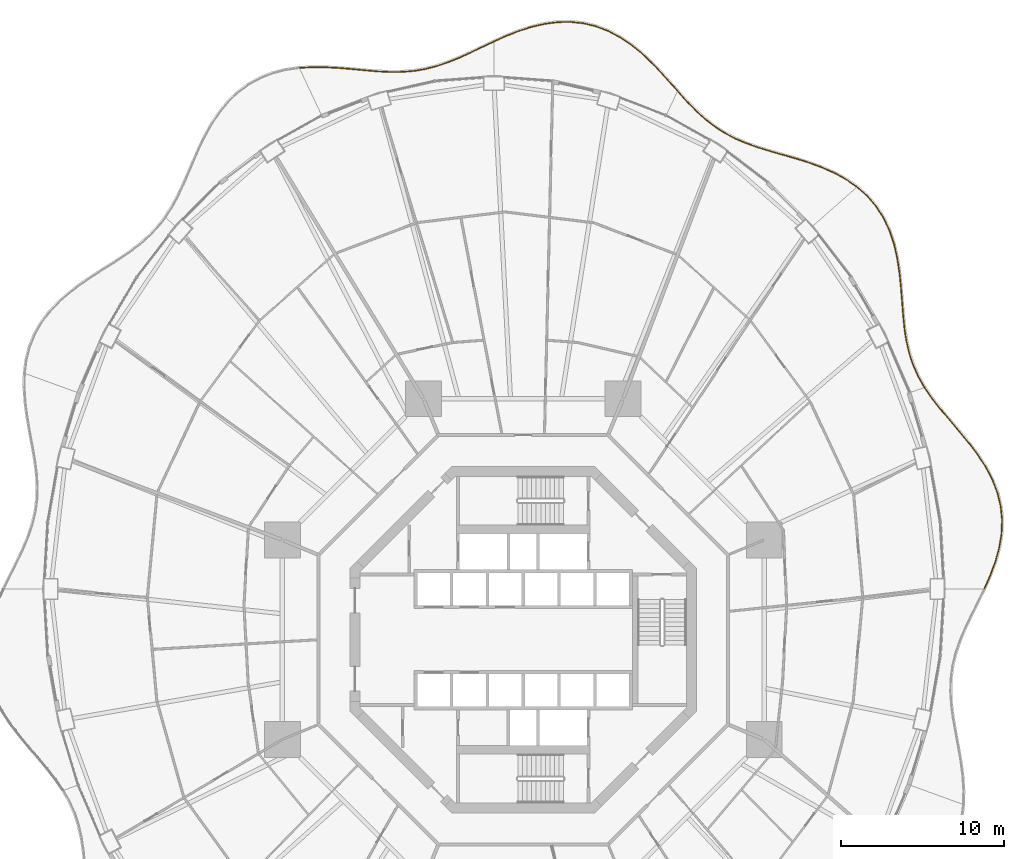
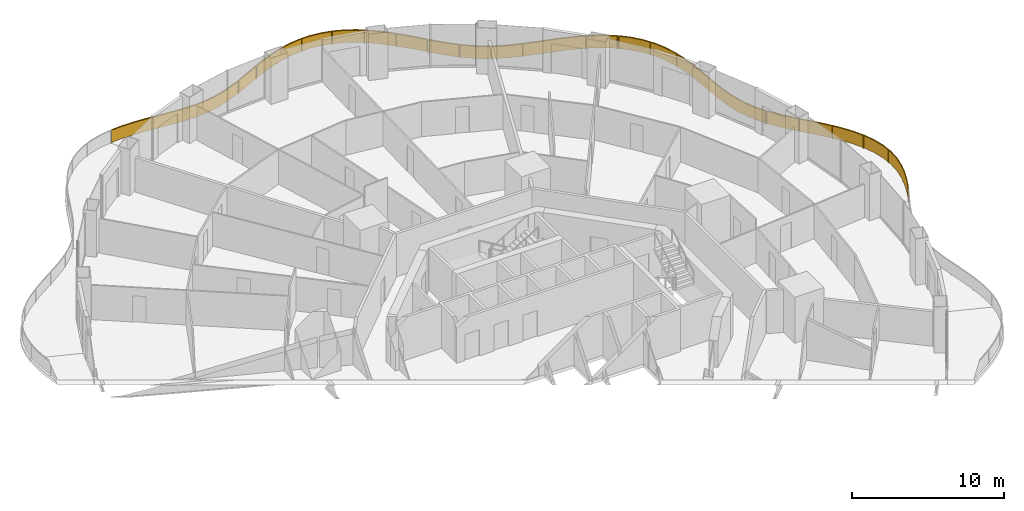
# One storey, part 22 of 22: 5 railings.
"""IFC4 building model written with IfcOpenShell, lengths in metres."""

from ifc_helpers import new_model, si_unit, direction, frame, origin, origin_2d, place, context, subcontext, project, spatial, polyline, rectangle, outline, extrude, material, type_object, element, save


model = new_model("IFC4")

# Units and contexts
model_context = context("Model", 3, precision=1e-05, world=origin(), true_north=direction((0.0, 1.0)))
body_context = subcontext(model_context, "Body", "Model", "MODEL_VIEW")
ifc_project = project(units=[si_unit("LENGTHUNIT", "METRE"), si_unit("AREAUNIT", "SQUARE_METRE"), si_unit("VOLUMEUNIT", "CUBIC_METRE"), si_unit("PLANEANGLEUNIT", "RADIAN"), si_unit("MASSUNIT", "GRAM", prefix="KILO")], contexts=[model_context])

# Site, building, storey
site_placement = place(None, origin())
site = spatial("IfcSite", under=ifc_project, at=site_placement, CompositionType="ELEMENT")
building_placement = place(site_placement, origin())
building = spatial("IfcBuilding", under=site, at=building_placement, Name="Nagisa Residences", CompositionType="ELEMENT")
storey_placement = place(building_placement, frame((0.0, 0.0, 95.5)))
storey = spatial("IfcBuildingStorey", under=building, at=storey_placement, Name="L23", CompositionType="ELEMENT", Elevation=95.5)

# Railings
ifc_material = material(Name="Stainless steel 316", Category="steel")
railing_type = type_object("IfcRailingType", Name="BALCONY GUARD 1100", PredefinedType="BALUSTRADE", material=ifc_material)
railing_1_placement = place(storey_placement, frame((28.298095703125, 3.152587890625, 0.0)))
element("IfcRailing", 1, at=railing_1_placement, inside=storey, type_object=railing_type, Name="guard:L23:bal00-0", PredefinedType="BALUSTRADE", context=body_context, shape_type="SweptSolid", body=[
    extrude(outline(polyline([(0.329345703125, 0.798583984375), (-0.02294921875, 0.01025390625), (0.02294921875, -0.01025390625), (0.375732421875, 0.779541015625), (0.691162109375, 1.62646484375), (0.92919921875, 2.484130859375), (1.071044921875, 3.346923828125), (1.102783203125, 4.20751953125), (1.018310546875, 5.044677734375), (0.81494140625, 5.87939453125), (0.500244140625, 6.69091796875), (0.088134765625, 7.4755859375), (-0.4033203125, 8.231201171875), (-0.94775390625, 8.945068359375), (-1.5263671875, 9.647216796875), (-2.1103515625, 10.330322265625), (-2.6748046875, 11.001953125), (-3.197998046875, 11.6708984375), (-3.639892578125, 12.31298828125), (-3.680908203125, 12.28466796875), (-3.238525390625, 11.64111328125), (-2.7138671875, 10.97021484375), (-2.1484375, 10.298095703125), (-1.56494140625, 9.614990234375), (-0.98681640625, 8.913818359375), (-0.4443359375, 8.202392578125), (0.044677734375, 7.4501953125), (0.454833984375, 6.669921875), (0.76708984375, 5.8642578125), (0.968994140625, 5.036376953125), (1.052490234375, 4.2060546875), (1.021240234375, 3.351806640625), (0.88037109375, 2.494873046875), (0.643310546875, 1.64208984375), (0.329345703125, 0.798583984375)])), frame((0.0, 0.0, 1.050048828125)), (0.0, 0.0, 1.0), 0.050048828125),
    extrude(outline(polyline([(0.345947265625, 0.791748046875), (-0.00634765625, 0.0029296875), (0.00634765625, -0.0029296875), (0.359130859375, 0.786376953125), (0.673828125, 1.632080078125), (0.91162109375, 2.488037109375), (1.05322265625, 3.3486328125), (1.084716796875, 4.20703125), (1.00048828125, 5.041748046875), (0.797607421875, 5.8740234375), (0.48388671875, 6.683349609375), (0.072509765625, 7.466552734375), (-0.418212890625, 8.220947265625), (-0.9619140625, 8.933837890625), (-1.540283203125, 9.635498046875), (-2.1240234375, 10.31884765625), (-2.68896484375, 10.990478515625), (-3.212646484375, 11.66015625), (-3.654541015625, 12.302734375), (-3.666259765625, 12.294921875), (-3.223876953125, 11.65185546875), (-2.69970703125, 10.981689453125), (-2.134765625, 10.3095703125), (-1.551025390625, 9.626708984375), (-0.97265625, 8.925048828125), (-0.429443359375, 8.212646484375), (0.060302734375, 7.459228515625), (0.47119140625, 6.677490234375), (0.784423828125, 5.86962890625), (0.98681640625, 5.039306640625), (1.070556640625, 4.20654296875), (1.0390625, 3.35009765625), (0.89794921875, 2.490966796875), (0.66064453125, 1.636474609375), (0.345947265625, 0.791748046875)])), frame((0.0, 0.0, 0.06005859375)), (0.0, 0.0, 1.0), 0.989990234375),
    extrude(rectangle(XDim=0.0400390625, YDim=0.0400390625, at=origin_2d()), origin(), (0.0, 0.0, 1.0), 1.050048828125),
    extrude(rectangle(XDim=0.0400390625, YDim=0.0400390625, at=origin_2d()), frame((0.81640625, 2.171142578125, 0.0)), (0.0, 0.0, 1.0), 1.050048828125),
    extrude(rectangle(XDim=0.0400390625, YDim=0.0400390625, at=origin_2d()), frame((1.05126953125, 4.468994140625, 0.0)), (0.0, 0.0, 1.0), 1.050048828125),
    extrude(rectangle(XDim=0.0400390625, YDim=0.0400390625, at=origin_2d()), frame((0.465576171875, 6.703369140625, 0.0)), (0.0, 0.0, 1.0), 1.050048828125),
    extrude(rectangle(XDim=0.0400390625, YDim=0.0400390625, at=origin_2d()), frame((-0.76708984375, 8.666748046875, 0.0)), (0.0, 0.0, 1.0), 1.050048828125),
    extrude(rectangle(XDim=0.0400390625, YDim=0.0400390625, at=origin_2d()), frame((-2.24853515625, 10.4560546875, 0.0)), (0.0, 0.0, 1.0), 1.050048828125),
    extrude(rectangle(XDim=0.0400390625, YDim=0.0400390625, at=origin_2d()), frame((-3.660400390625, 12.298828125, 0.0)), (0.0, 0.0, 1.0), 1.050048828125),
])
railing_2_placement = place(storey_placement, frame((24.598388671875, 15.51025390625, 0.0)))
element("IfcRailing", 2, at=railing_2_placement, inside=storey, type_object=railing_type, Name="guard:L23:bal01-0", PredefinedType="BALUSTRADE", context=body_context, shape_type="SweptSolid", body=[
    extrude(outline(polyline([(-0.385498046875, 0.625732421875), (-0.021728515625, -0.012451171875), (0.021728515625, 0.012451171875), (-0.340576171875, 0.648193359375), (-0.65185546875, 1.34423828125), (-0.892333984375, 2.071044921875), (-1.068359375, 2.83154296875), (-1.191162109375, 3.6279296875), (-1.269775390625, 4.444091796875), (-1.336669921875, 5.30078125), (-1.406005859375, 6.176025390625), (-1.4990234375, 7.05859375), (-1.636474609375, 7.93505859375), (-1.827880859375, 8.77880859375), (-2.1044921875, 9.599609375), (-2.468017578125, 10.371826171875), (-2.923583984375, 11.0830078125), (-3.470947265625, 11.724609375), (-4.068603515625, 12.25830078125), (-4.101806640625, 12.22119140625), (-3.506591796875, 11.689453125), (-2.964111328125, 11.05322265625), (-2.511962890625, 10.347412109375), (-2.15087890625, 9.5810546875), (-1.876220703125, 8.76513671875), (-1.685791015625, 7.92578125), (-1.548828125, 7.05224609375), (-1.455810546875, 6.171630859375), (-1.386474609375, 5.296875), (-1.319580078125, 4.439697265625), (-1.240966796875, 3.62158203125), (-1.11767578125, 2.822265625), (-0.940673828125, 2.057373046875), (-0.69873046875, 1.326171875), (-0.385498046875, 0.625732421875)])), frame((0.0, 0.0, 1.050048828125)), (0.0, 0.0, 1.0), 0.050048828125),
    extrude(outline(polyline([(-0.369384765625, 0.6337890625), (-0.006103515625, -0.00341796875), (0.006103515625, 0.00341796875), (-0.356689453125, 0.64013671875), (-0.668701171875, 1.337646484375), (-0.90966796875, 2.066162109375), (-1.086181640625, 2.828125), (-1.209228515625, 3.625732421875), (-1.28759765625, 4.4423828125), (-1.3544921875, 5.29931640625), (-1.423828125, 6.174560546875), (-1.51708984375, 7.056396484375), (-1.654296875, 7.931640625), (-1.84521484375, 8.77392578125), (-2.12109375, 9.593017578125), (-2.48388671875, 10.363037109375), (-2.938232421875, 11.072265625), (-3.483642578125, 11.7119140625), (-4.08056640625, 12.244873046875), (-4.08984375, 12.234619140625), (-3.493896484375, 11.7021484375), (-2.949462890625, 11.06396484375), (-2.49609375, 10.356201171875), (-2.13427734375, 9.587646484375), (-1.85888671875, 8.77001953125), (-1.66796875, 7.92919921875), (-1.53076171875, 7.054443359375), (-1.43798828125, 6.173095703125), (-1.36865234375, 5.29833984375), (-1.3017578125, 4.44140625), (-1.222900390625, 3.623779296875), (-1.099853515625, 2.82568359375), (-0.92333984375, 2.062255859375), (-0.681884765625, 1.332763671875), (-0.369384765625, 0.6337890625)])), frame((0.0, 0.0, 0.06005859375)), (0.0, 0.0, 1.0), 0.989990234375),
    extrude(rectangle(XDim=0.0400390625, YDim=0.0400390625, at=origin_2d()), origin(), (0.0, 0.0, 1.0), 1.050048828125),
    extrude(rectangle(XDim=0.0400390625, YDim=0.0400390625, at=origin_2d()), frame((-0.898193359375, 2.008544921875, 0.0)), (0.0, 0.0, 1.0), 1.050048828125),
    extrude(rectangle(XDim=0.0400390625, YDim=0.0400390625, at=origin_2d()), frame((-1.26953125, 4.180908203125, 0.0)), (0.0, 0.0, 1.0), 1.050048828125),
    extrude(rectangle(XDim=0.0400390625, YDim=0.0400390625, at=origin_2d()), frame((-1.45263671875, 6.38037109375, 0.0)), (0.0, 0.0, 1.0), 1.050048828125),
    extrude(rectangle(XDim=0.0400390625, YDim=0.0400390625, at=origin_2d()), frame((-1.803466796875, 8.557373046875, 0.0)), (0.0, 0.0, 1.0), 1.050048828125),
    extrude(rectangle(XDim=0.0400390625, YDim=0.0400390625, at=origin_2d()), frame((-2.637451171875, 10.58984375, 0.0)), (0.0, 0.0, 1.0), 1.050048828125),
    extrude(rectangle(XDim=0.0400390625, YDim=0.0400390625, at=origin_2d()), frame((-4.085205078125, 12.23974609375, 0.0)), (0.0, 0.0, 1.0), 1.050048828125),
])
railing_3_placement = place(storey_placement, frame((20.4521484375, 27.797607421875, 0.0)))
element("IfcRailing", 3, at=railing_3_placement, inside=storey, type_object=railing_type, Name="guard:L23:bal02-0", PredefinedType="BALUSTRADE", context=body_context, shape_type="SweptSolid", body=[
    extrude(outline(polyline([(-0.6474609375, 0.41845703125), (-0.01416015625, -0.0205078125), (0.01416015625, 0.0205078125), (-0.62109375, 0.4609375), (-1.3515625, 0.864013671875), (-2.125, 1.20703125), (-2.925048828125, 1.50048828125), (-3.736572265625, 1.7568359375), (-4.531982421875, 1.98046875), (-5.322509765625, 2.207763671875), (-6.0849609375, 2.44482421875), (-6.8125, 2.706298828125), (-7.500244140625, 3.00537109375), (-8.13427734375, 3.343505859375), (-8.744873046875, 3.745361328125), (-9.324462890625, 4.20458984375), (-9.8818359375, 4.718994140625), (-10.4267578125, 5.2822265625), (-10.938232421875, 5.85107421875), (-10.975341796875, 5.8173828125), (-10.46337890625, 5.248046875), (-9.9169921875, 4.683349609375), (-9.357177734375, 4.16650390625), (-8.774169921875, 3.704833984375), (-8.15966796875, 3.300537109375), (-7.522216796875, 2.96044921875), (-6.8310546875, 2.659912109375), (-6.10107421875, 2.3974609375), (-5.336669921875, 2.159912109375), (-4.545654296875, 1.93212890625), (-3.750732421875, 1.708984375), (-2.941162109375, 1.453125), (-2.1435546875, 1.16064453125), (-1.3740234375, 0.819091796875), (-0.6474609375, 0.41845703125)])), frame((0.0, 0.0, 1.050048828125)), (0.0, 0.0, 1.0), 0.050048828125),
    extrude(outline(polyline([(-0.637939453125, 0.433837890625), (-0.00390625, -0.005859375), (0.00390625, 0.005859375), (-0.630615234375, 0.445556640625), (-1.359619140625, 0.847900390625), (-2.131591796875, 1.1904296875), (-2.930908203125, 1.4833984375), (-3.74169921875, 1.739501953125), (-4.536865234375, 1.963134765625), (-5.32763671875, 2.1904296875), (-6.0908203125, 2.427734375), (-6.819091796875, 2.689697265625), (-7.50830078125, 2.9892578125), (-8.143310546875, 3.328125), (-8.75537109375, 3.730712890625), (-9.336181640625, 4.19091796875), (-9.89453125, 4.706298828125), (-10.43994140625, 5.27001953125), (-10.95166015625, 5.8388671875), (-10.9619140625, 5.82958984375), (-10.4501953125, 5.26025390625), (-9.904296875, 4.696044921875), (-9.345458984375, 4.18017578125), (-8.763671875, 3.719482421875), (-8.150634765625, 3.31591796875), (-7.51416015625, 2.9765625), (-6.824462890625, 2.676513671875), (-6.09521484375, 2.41455078125), (-5.33154296875, 2.17724609375), (-4.540771484375, 1.949462890625), (-3.74560546875, 1.726318359375), (-2.935302734375, 1.47021484375), (-2.136962890625, 1.17724609375), (-1.365966796875, 0.835205078125), (-0.637939453125, 0.433837890625)])), frame((0.0, 0.0, 0.06005859375)), (0.0, 0.0, 1.0), 0.989990234375),
    extrude(rectangle(XDim=0.0400390625, YDim=0.0400390625, at=origin_2d()), origin(), (0.0, 0.0, 1.0), 1.050048828125),
    extrude(rectangle(XDim=0.0400390625, YDim=0.0400390625, at=origin_2d()), frame((-1.82080078125, 1.044677734375, 0.0)), (0.0, 0.0, 1.0), 1.050048828125),
    extrude(rectangle(XDim=0.0400390625, YDim=0.0400390625, at=origin_2d()), frame((-3.80224609375, 1.749267578125, 0.0)), (0.0, 0.0, 1.0), 1.050048828125),
    extrude(rectangle(XDim=0.0400390625, YDim=0.0400390625, at=origin_2d()), frame((-5.8232421875, 2.337158203125, 0.0)), (0.0, 0.0, 1.0), 1.050048828125),
    extrude(rectangle(XDim=0.0400390625, YDim=0.0400390625, at=origin_2d()), frame((-7.7724609375, 3.122314453125, 0.0)), (0.0, 0.0, 1.0), 1.050048828125),
    extrude(rectangle(XDim=0.0400390625, YDim=0.0400390625, at=origin_2d()), frame((-9.49169921875, 4.324951171875, 0.0)), (0.0, 0.0, 1.0), 1.050048828125),
    extrude(rectangle(XDim=0.0400390625, YDim=0.0400390625, at=origin_2d()), frame((-10.956787109375, 5.834228515625, 0.0)), (0.0, 0.0, 1.0), 1.050048828125),
])
railing_4_placement = place(storey_placement, frame((9.44677734375, 33.689208984375, 0.0)))
element("IfcRailing", 4, at=railing_4_placement, inside=storey, type_object=railing_type, Name="guard:L23:bal03-0", PredefinedType="BALUSTRADE", context=body_context, shape_type="SweptSolid", body=[
    extrude(outline(polyline([(-0.519287109375, 0.552490234375), (-0.018798828125, -0.0166015625), (0.018798828125, 0.0166015625), (-0.482177734375, 0.585693359375), (-1.03271484375, 1.192626953125), (-1.609130859375, 1.78759765625), (-2.217041015625, 2.3525390625), (-2.860107421875, 2.869140625), (-3.523193359375, 3.315673828125), (-4.238037109375, 3.688232421875), (-4.984619140625, 3.970458984375), (-5.75732421875, 4.155517578125), (-6.54931640625, 4.240478515625), (-7.335693359375, 4.224365234375), (-8.140625, 4.119140625), (-8.942626953125, 3.9326171875), (-9.733642578125, 3.67919921875), (-10.509521484375, 3.375244140625), (-11.222412109375, 3.055908203125), (-11.201904296875, 3.010009765625), (-10.489990234375, 3.328857421875), (-9.717041015625, 3.6318359375), (-8.929443359375, 3.88427734375), (-8.1318359375, 4.06982421875), (-7.331787109375, 4.174560546875), (-6.55126953125, 4.190185546875), (-5.765625, 4.106201171875), (-4.999267578125, 3.922607421875), (-4.258544921875, 3.642333984375), (-3.548583984375, 3.272705078125), (-2.889892578125, 2.82861328125), (-2.249755859375, 2.314453125), (-1.644287109375, 1.751953125), (-1.0693359375, 1.158447265625), (-0.519287109375, 0.552490234375)])), frame((0.0, 0.0, 1.050048828125)), (0.0, 0.0, 1.0), 0.050048828125),
    extrude(outline(polyline([(-0.505859375, 0.564453125), (-0.00537109375, -0.004638671875), (0.00537109375, 0.004638671875), (-0.49560546875, 0.57373046875), (-1.0458984375, 1.180419921875), (-1.621826171875, 1.774658203125), (-2.228759765625, 2.3388671875), (-2.870849609375, 2.8544921875), (-3.5322265625, 3.30029296875), (-4.245361328125, 3.671630859375), (-4.989990234375, 3.953125), (-5.76025390625, 4.1376953125), (-6.550048828125, 4.222412109375), (-7.334228515625, 4.20654296875), (-8.137451171875, 4.101318359375), (-8.93798828125, 3.915283203125), (-9.727783203125, 3.662109375), (-10.50244140625, 3.3583984375), (-11.215087890625, 3.039306640625), (-11.209228515625, 3.026611328125), (-10.4970703125, 3.345703125), (-9.722900390625, 3.64892578125), (-8.93408203125, 3.901611328125), (-8.135009765625, 4.087646484375), (-7.333251953125, 4.1923828125), (-6.550537109375, 4.208251953125), (-5.7626953125, 4.1240234375), (-4.993896484375, 3.93994140625), (-4.251220703125, 3.658935546875), (-3.53955078125, 3.2880859375), (-2.879150390625, 2.84326171875), (-2.238037109375, 2.328125), (-1.631591796875, 1.764892578125), (-1.05615234375, 1.170654296875), (-0.505859375, 0.564453125)])), frame((0.0, 0.0, 0.06005859375)), (0.0, 0.0, 1.0), 0.989990234375),
    extrude(rectangle(XDim=0.0400390625, YDim=0.0400390625, at=origin_2d()), origin(), (0.0, 0.0, 1.0), 1.050048828125),
    extrude(rectangle(XDim=0.0400390625, YDim=0.0400390625, at=origin_2d()), frame((-1.44873046875, 1.5859375, 0.0)), (0.0, 0.0, 1.0), 1.050048828125),
    extrude(rectangle(XDim=0.0400390625, YDim=0.0400390625, at=origin_2d()), frame((-3.0751953125, 2.98388671875, 0.0)), (0.0, 0.0, 1.0), 1.050048828125),
    extrude(rectangle(XDim=0.0400390625, YDim=0.0400390625, at=origin_2d()), frame((-4.98681640625, 3.944580078125, 0.0)), (0.0, 0.0, 1.0), 1.050048828125),
    extrude(rectangle(XDim=0.0400390625, YDim=0.0400390625, at=origin_2d()), frame((-7.108642578125, 4.2041015625, 0.0)), (0.0, 0.0, 1.0), 1.050048828125),
    extrude(rectangle(XDim=0.0400390625, YDim=0.0400390625, at=origin_2d()), frame((-9.21484375, 3.819091796875, 0.0)), (0.0, 0.0, 1.0), 1.050048828125),
    extrude(rectangle(XDim=0.0400390625, YDim=0.0400390625, at=origin_2d()), frame((-11.212158203125, 3.032958984375, 0.0)), (0.0, 0.0, 1.0), 1.050048828125),
])
railing_5_placement = place(storey_placement, frame((-1.834228515625, 36.688720703125, 0.0)))
element("IfcRailing", 5, at=railing_5_placement, inside=storey, type_object=railing_type, Name="guard:L23:bal04-0", PredefinedType="BALUSTRADE", context=body_context, shape_type="SweptSolid", body=[
    extrude(outline(polyline([(-0.682861328125, -0.35302734375), (0.0107421875, -0.022705078125), (-0.0107421875, 0.022705078125), (-0.704345703125, -0.3076171875), (-1.4228515625, -0.6494140625), (-2.125732421875, -0.967529296875), (-2.818115234375, -1.247802734375), (-3.505126953125, -1.47900390625), (-4.17626953125, -1.6513671875), (-4.87353515625, -1.76708984375), (-5.5849609375, -1.825927734375), (-6.3154296875, -1.8330078125), (-7.068115234375, -1.799560546875), (-7.827392578125, -1.732421875), (-8.62451171875, -1.658203125), (-9.439453125, -1.589111328125), (-10.265380859375, -1.54248046875), (-11.094482421875, -1.53564453125), (-11.86962890625, -1.57958984375), (-11.86669921875, -1.62939453125), (-11.093505859375, -1.5859375), (-10.266845703125, -1.59228515625), (-9.44287109375, -1.638916015625), (-8.62890625, -1.7080078125), (-7.831787109375, -1.7822265625), (-7.071533203125, -1.849365234375), (-6.31640625, -1.88330078125), (-5.58251953125, -1.875732421875), (-4.8671875, -1.81689453125), (-4.166015625, -1.7001953125), (-3.490966796875, -1.52685546875), (-2.800537109375, -1.294677734375), (-2.106201171875, -1.013427734375), (-1.40185546875, -0.69482421875), (-0.682861328125, -0.35302734375)])), frame((0.0, 0.0, 1.050048828125)), (0.0, 0.0, 1.0), 0.050048828125),
    extrude(outline(polyline([(-0.690673828125, -0.336669921875), (0.0029296875, -0.00634765625), (-0.0029296875, 0.00634765625), (-0.696533203125, -0.323974609375), (-1.415283203125, -0.665771484375), (-2.11865234375, -0.984130859375), (-2.811767578125, -1.2646484375), (-3.5, -1.49609375), (-4.172607421875, -1.6689453125), (-4.871337890625, -1.78515625), (-5.583984375, -1.84375), (-6.31591796875, -1.85107421875), (-7.0693359375, -1.8173828125), (-7.828857421875, -1.750244140625), (-8.6259765625, -1.676025390625), (-9.440673828125, -1.60693359375), (-10.265869140625, -1.560302734375), (-11.09423828125, -1.5537109375), (-11.86865234375, -1.597412109375), (-11.86767578125, -1.611572265625), (-11.09375, -1.56787109375), (-10.266357421875, -1.574462890625), (-9.441650390625, -1.62109375), (-8.62744140625, -1.690185546875), (-7.830322265625, -1.764404296875), (-7.0703125, -1.83154296875), (-6.31591796875, -1.865234375), (-5.58349609375, -1.85791015625), (-4.869384765625, -1.798828125), (-4.169677734375, -1.6826171875), (-3.49609375, -1.509765625), (-2.806884765625, -1.27783203125), (-2.11328125, -0.996826171875), (-1.409423828125, -0.678466796875), (-0.690673828125, -0.336669921875)])), frame((0.0, 0.0, 0.06005859375)), (0.0, 0.0, 1.0), 0.989990234375),
    extrude(rectangle(XDim=0.0400390625, YDim=0.0400390625, at=origin_2d()), origin(), (0.0, 0.0, 1.0), 1.050048828125),
    extrude(rectangle(XDim=0.0400390625, YDim=0.0400390625, at=origin_2d()), frame((-1.843994140625, -0.867431640625, 0.0)), (0.0, 0.0, 1.0), 1.050048828125),
    extrude(rectangle(XDim=0.0400390625, YDim=0.0400390625, at=origin_2d()), frame((-3.754638671875, -1.56884765625, 0.0)), (0.0, 0.0, 1.0), 1.050048828125),
    extrude(rectangle(XDim=0.0400390625, YDim=0.0400390625, at=origin_2d()), frame((-5.766845703125, -1.852783203125, 0.0)), (0.0, 0.0, 1.0), 1.050048828125),
    extrude(rectangle(XDim=0.0400390625, YDim=0.0400390625, at=origin_2d()), frame((-7.80126953125, -1.759765625, 0.0)), (0.0, 0.0, 1.0), 1.050048828125),
    extrude(rectangle(XDim=0.0400390625, YDim=0.0400390625, at=origin_2d()), frame((-9.83203125, -1.591796875, 0.0)), (0.0, 0.0, 1.0), 1.050048828125),
    extrude(rectangle(XDim=0.0400390625, YDim=0.0400390625, at=origin_2d()), frame((-11.8681640625, -1.6044921875, 0.0)), (0.0, 0.0, 1.0), 1.050048828125),
])

save(model, "model.ifc")
